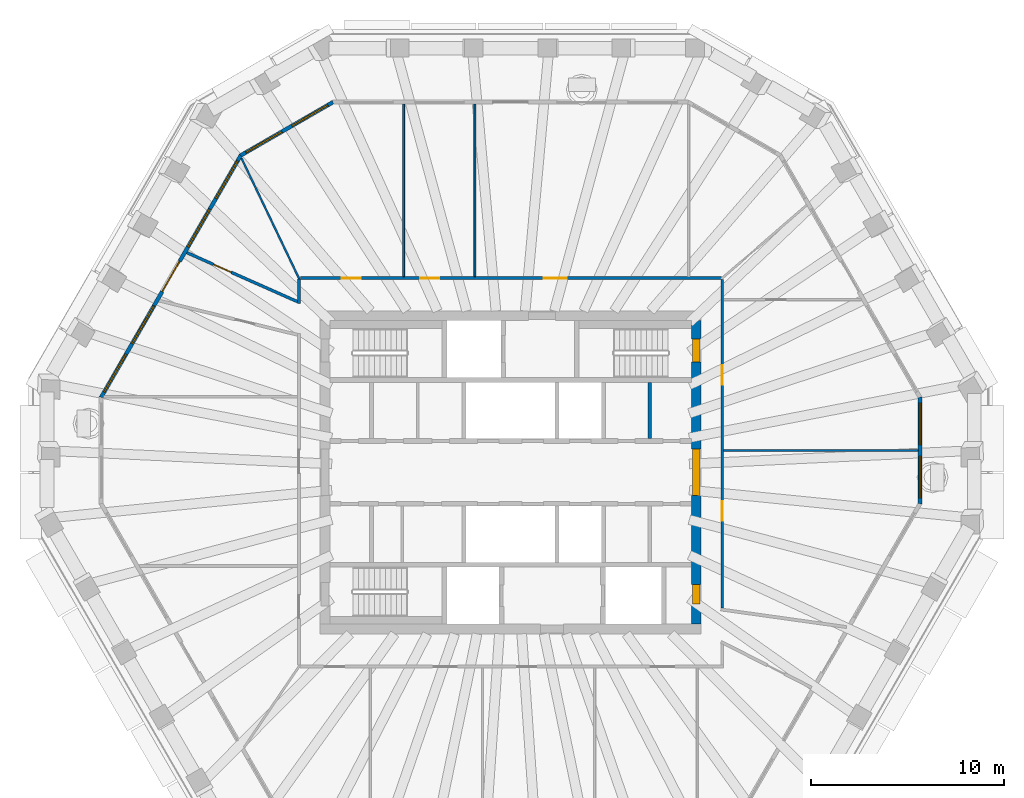
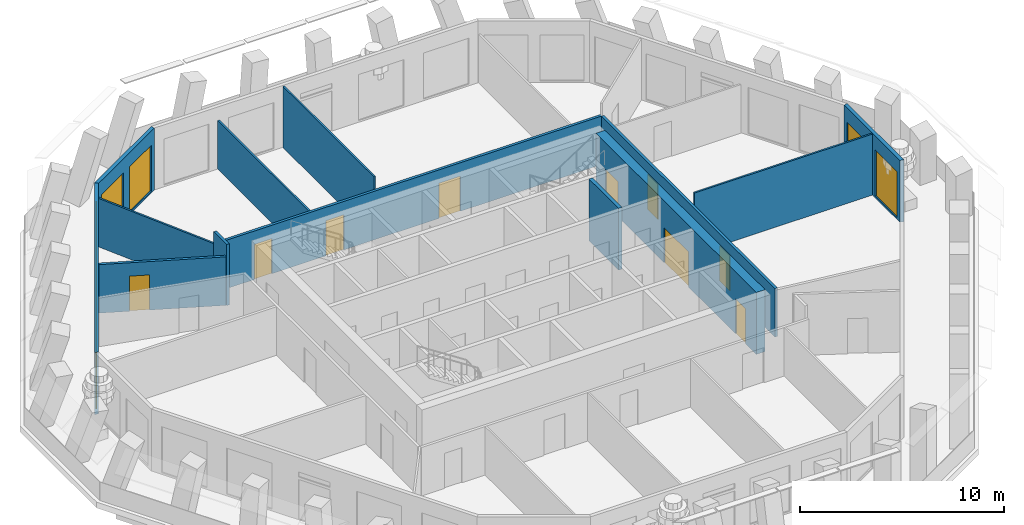
# One storey, part 6 of 11: 13 walls, 10 doors, 9 windows, 19 openings.
"""IFC4 building model written with IfcOpenShell, lengths in metres."""

from ifc_helpers import new_model, si_unit, direction, frame, frame_2d, origin, place, context, subcontext, project, spatial, polyline, rectangle, outline, extrude, material, layer, layer_set, type_object, element, fill, save


model = new_model("IFC4")

# Units and contexts
model_context = context("Model", 3, precision=1e-05, world=origin(), true_north=direction((0.0, 1.0)))
body_context = subcontext(model_context, "Body", "Model", "MODEL_VIEW")
ifc_project = project(units=[si_unit("LENGTHUNIT", "METRE"), si_unit("AREAUNIT", "SQUARE_METRE"), si_unit("VOLUMEUNIT", "CUBIC_METRE"), si_unit("PLANEANGLEUNIT", "RADIAN"), si_unit("MASSUNIT", "GRAM", prefix="KILO")], contexts=[model_context])

# Site, building, storey
site_placement = place(None, origin())
site = spatial("IfcSite", under=ifc_project, at=site_placement, CompositionType="ELEMENT")
building_placement = place(site_placement, origin())
building = spatial("IfcBuilding", under=site, at=building_placement, Name="Frailejon Research Tower", CompositionType="ELEMENT")
storey_placement = place(building_placement, frame((0.0, 0.0, 299.0)))
storey = spatial("IfcBuildingStorey", under=building, at=storey_placement, Name="L66", CompositionType="ELEMENT", Elevation=299.0)

# Wall, openings, doors
ifc_material_1 = material(Name="Concrete C50/60", Category="concrete")
ifc_layer_1 = layer(ifc_material_1, 0.5)
ifc_layer_set_1 = layer_set([ifc_layer_1], Name="Core shear wall 500 C50/60")
wall_type_1 = type_object("IfcWallType", Name="Core shear wall 500 C50/60", PredefinedType="SHEAR", material=ifc_layer_set_1)
wall_1_placement = place(storey_placement, frame((9.60009765625, -7.85009765625, 0.0), z_axis=(0.0, 0.0, 1.0), x_axis=(0.0, 1.0, 0.0)))
wall_1 = element("IfcWall", 1, at=wall_1_placement, inside=storey, type_object=wall_type_1, Name="Core shear wall", PredefinedType="SHEAR", context=body_context, shape_type="SweptSolid", body=[
    extrude(rectangle(XDim=15.7001953125, YDim=0.5, at=frame_2d((7.85009765625, 0.0))), origin(), (0.0, 0.0, 1.0), 3.699951171875),
])
opening_1_placement = place(wall_1_placement, frame((6.64990234375, 0.0, 0.0)))
opening_1 = element("IfcOpeningElement", 2, at=opening_1_placement, cuts=wall_1, Name="Opening D2", PredefinedType="OPENING", context=body_context, shape_type="SweptSolid", body=[
    extrude(rectangle(XDim=2.39990234375, YDim=2.10009765625, at=frame_2d((1.199951171875, 1.050048828125))), frame((0.0, 0.260009765625, 0.0), z_axis=(0.0, -1.0, 0.0), x_axis=(1.0, 0.0, 0.0)), (0.0, 0.0, 1.0), 0.52001953125),
])
opening_2_placement = place(wall_1_placement, frame((13.550048828125, 0.0, 0.0)))
opening_2 = element("IfcOpeningElement", 3, at=opening_2_placement, cuts=wall_1, Name="Opening D1", PredefinedType="OPENING", context=body_context, shape_type="SweptSolid", body=[
    extrude(rectangle(XDim=1.199951171875, YDim=2.10009765625, at=frame_2d((0.60009765625, 1.050048828125))), frame((0.0, 0.260009765625, 0.0), z_axis=(0.0, -1.0, 0.0), x_axis=(1.0, 0.0, 0.0)), (0.0, 0.0, 1.0), 0.52001953125),
])
opening_3_placement = place(wall_1_placement, frame((1.050048828125, 0.0, 0.0)))
opening_3 = element("IfcOpeningElement", 4, at=opening_3_placement, cuts=wall_1, Name="Opening D4", PredefinedType="OPENING", context=body_context, shape_type="SweptSolid", body=[
    extrude(rectangle(XDim=1.0, YDim=2.10009765625, at=frame_2d((0.5, 1.050048828125))), frame((0.0, 0.260009765625, 0.0), z_axis=(0.0, -1.0, 0.0), x_axis=(1.0, 0.0, 0.0)), (0.0, 0.0, 1.0), 0.52001953125),
])
ifc_material_2 = material(Name="Steel", Category="steel")
door_type_1 = type_object("IfcDoorType", Name="Lobby double door", OperationType="DOUBLE_DOOR_SINGLE_SWING", PredefinedType="DOOR", material=ifc_material_2)
door_1_placement = place(opening_1_placement, origin())
door_1 = element("IfcDoor", 5, at=door_1_placement, inside=storey, type_object=door_type_1, Name="Lobby door", OperationType="DOUBLE_DOOR_SINGLE_SWING", OverallHeight=2.10009765625, OverallWidth=2.39990234375, PredefinedType="DOOR", context=body_context, shape_type="SweptSolid", body=[
    extrude(rectangle(XDim=2.39990234375, YDim=2.10009765625, at=frame_2d((1.199951171875, 1.050048828125))), frame((0.0, 0.199951171875, 0.0), z_axis=(0.0, -1.0, 0.0), x_axis=(1.0, 0.0, 0.0)), (0.0, 0.0, 1.0), 0.39990234375),
])
fill(opening_1, door_1)
ifc_material_3 = material(Name="Steel", Category="steel")
door_type_2 = type_object("IfcDoorType", Name="Service door", OperationType="SINGLE_SWING_LEFT", PredefinedType="DOOR", material=ifc_material_3)
door_2_placement = place(opening_3_placement, origin())
door_2 = element("IfcDoor", 6, at=door_2_placement, inside=storey, type_object=door_type_2, Name="Riser door", OperationType="SINGLE_SWING_RIGHT", OverallHeight=2.10009765625, OverallWidth=1.0, PredefinedType="DOOR", context=body_context, shape_type="SweptSolid", body=[
    extrude(rectangle(XDim=1.0, YDim=2.10009765625, at=frame_2d((0.5, 1.050048828125))), frame((0.0, 0.199951171875, 0.0), z_axis=(0.0, -1.0, 0.0), x_axis=(1.0, 0.0, 0.0)), (0.0, 0.0, 1.0), 0.39990234375),
])
fill(opening_3, door_2)
ifc_material_4 = material(Name="Steel", Category="steel")
door_type_3 = type_object("IfcDoorType", Name="Stair door", OperationType="SINGLE_SWING_LEFT", PredefinedType="DOOR", material=ifc_material_4)
door_3_placement = place(opening_2_placement, origin())
door_3 = element("IfcDoor", 7, at=door_3_placement, inside=storey, type_object=door_type_3, Name="Stair door ST3", OperationType="SINGLE_SWING_LEFT", OverallHeight=2.10009765625, OverallWidth=1.199951171875, PredefinedType="DOOR", context=body_context, shape_type="SweptSolid", body=[
    extrude(rectangle(XDim=1.199951171875, YDim=2.10009765625, at=frame_2d((0.60009765625, 1.050048828125))), frame((0.0, 0.199951171875, 0.0), z_axis=(0.0, -1.0, 0.0), x_axis=(1.0, 0.0, 0.0)), (0.0, 0.0, 1.0), 0.39990234375),
])
fill(opening_2, door_3)

# Wall, opening, door
ifc_material_5 = material(Name="Gypsum board and masonry partition", Category="masonry")
ifc_layer_2 = layer(ifc_material_5, 0.14990234375)
ifc_layer_set_2 = layer_set([ifc_layer_2], Name="Corridor wall EI 60, gypsum on steel studs 150")
wall_type_2 = type_object("IfcWallType", Name="Corridor wall EI 60, gypsum on steel studs 150", PredefinedType="PARTITIONING", material=ifc_layer_set_2)
wall_2_placement = place(storey_placement, frame((-16.74169921875, 11.365478515625, 0.0), z_axis=(0.0, 0.0, 1.0), x_axis=(0.914312665263, -0.405009074144, 0.0)))
wall_2 = element("IfcWall", 8, at=wall_2_placement, inside=storey, type_object=wall_type_2, Name="T:IW:L66:001", PredefinedType="PARTITIONING", context=body_context, shape_type="SweptSolid", body=[
    extrude(rectangle(XDim=6.259521484375, YDim=0.14990234375, at=frame_2d((3.1298828125, 0.0))), origin(), (0.0, 0.0, 1.0), 2.89990234375),
])
opening_4_placement = place(wall_2_placement, frame((1.508544921875, 0.0, 0.0)))
opening_4 = element("IfcOpeningElement", 9, at=opening_4_placement, cuts=wall_2, Name="Opening D2271", PredefinedType="OPENING", context=body_context, shape_type="SweptSolid", body=[
    extrude(rectangle(XDim=1.0, YDim=2.10009765625, at=frame_2d((0.5, 1.050048828125))), frame((0.0, 0.0849609375, 0.0), z_axis=(0.0, -1.0, 0.0), x_axis=(1.0, 0.0, 0.0)), (0.0, 0.0, 1.0), 0.169921875),
])
ifc_material_6 = material(Name="Timber door leaf", Category="wood")
door_type_4 = type_object("IfcDoorType", Name="Door single leaf, timber, steel frame 1000", OperationType="NOTDEFINED", PredefinedType="DOOR", material=ifc_material_6)
door_4_placement = place(opening_4_placement, origin())
door_4 = element("IfcDoor", 10, at=door_4_placement, inside=storey, type_object=door_type_4, Name="D2271", OperationType="SINGLE_SWING_LEFT", OverallHeight=2.10009765625, OverallWidth=1.0, PredefinedType="DOOR", context=body_context, shape_type="SweptSolid", body=[
    extrude(rectangle(XDim=1.0, YDim=2.10009765625, at=frame_2d((0.5, 1.050048828125))), frame((0.0, 0.02490234375, 0.0), z_axis=(0.0, -1.0, 0.0), x_axis=(1.0, 0.0, 0.0)), (0.0, 0.0, 1.0), 0.050048828125),
])
fill(opening_4, door_4)

# Wall, openings, doors
wall_3_placement = place(storey_placement, frame((10.949951171875, -7.02490234375, 0.0), z_axis=(0.0, 0.0, 1.0), x_axis=(0.0, 1.0, 0.0)))
wall_3 = element("IfcWall", 11, at=wall_3_placement, inside=storey, type_object=wall_type_2, Name="T:IW:L66:004", PredefinedType="PARTITIONING", context=body_context, shape_type="SweptSolid", body=[
    extrude(rectangle(XDim=17.0, YDim=0.14990234375, at=frame_2d((8.5, 0.0))), origin(), (0.0, 0.0, 1.0), 2.89990234375),
])
opening_5_placement = place(wall_3_placement, frame((11.557861328125, 0.0, 0.0)))
opening_5 = element("IfcOpeningElement", 12, at=opening_5_placement, cuts=wall_3, Name="Opening D2265", PredefinedType="OPENING", context=body_context, shape_type="SweptSolid", body=[
    extrude(rectangle(XDim=1.0, YDim=2.10009765625, at=frame_2d((0.5, 1.050048828125))), frame((0.0, 0.0849609375, 0.0), z_axis=(0.0, -1.0, 0.0), x_axis=(1.0, 0.0, 0.0)), (0.0, 0.0, 1.0), 0.169921875),
])
opening_6_placement = place(wall_3_placement, frame((4.5205078125, 0.0, 0.0)))
opening_6 = element("IfcOpeningElement", 13, at=opening_6_placement, cuts=wall_3, Name="Opening D2280", PredefinedType="OPENING", context=body_context, shape_type="SweptSolid", body=[
    extrude(rectangle(XDim=1.0, YDim=2.10009765625, at=frame_2d((0.5, 1.050048828125))), frame((0.0, 0.0849609375, 0.0), z_axis=(0.0, -1.0, 0.0), x_axis=(1.0, 0.0, 0.0)), (0.0, 0.0, 1.0), 0.169921875),
])
door_5_placement = place(opening_5_placement, origin())
door_5 = element("IfcDoor", 14, at=door_5_placement, inside=storey, type_object=door_type_4, Name="D2265", OperationType="SINGLE_SWING_LEFT", OverallHeight=2.10009765625, OverallWidth=1.0, PredefinedType="DOOR", context=body_context, shape_type="SweptSolid", body=[
    extrude(rectangle(XDim=1.0, YDim=2.10009765625, at=frame_2d((0.5, 1.050048828125))), frame((0.0, 0.02490234375, 0.0), z_axis=(0.0, -1.0, 0.0), x_axis=(1.0, 0.0, 0.0)), (0.0, 0.0, 1.0), 0.050048828125),
])
fill(opening_5, door_5)
door_6_placement = place(opening_6_placement, origin())
door_6 = element("IfcDoor", 15, at=door_6_placement, inside=storey, type_object=door_type_4, Name="D2280", OperationType="SINGLE_SWING_LEFT", OverallHeight=2.10009765625, OverallWidth=1.0, PredefinedType="DOOR", context=body_context, shape_type="SweptSolid", body=[
    extrude(rectangle(XDim=1.0, YDim=2.10009765625, at=frame_2d((0.5, 1.050048828125))), frame((0.0, 0.02490234375, 0.0), z_axis=(0.0, -1.0, 0.0), x_axis=(1.0, 0.0, 0.0)), (0.0, 0.0, 1.0), 0.050048828125),
])
fill(opening_6, door_6)

wall_4_placement = place(storey_placement, frame((-10.875, 10.050048828125, 0.0), z_axis=(0.0, 0.0, 1.0), x_axis=(1.0, 0.0, 0.0)))
wall_4 = element("IfcWall", 16, at=wall_4_placement, inside=storey, type_object=wall_type_2, Name="T:IW:L66:005", PredefinedType="PARTITIONING", context=body_context, shape_type="SweptSolid", body=[
    extrude(rectangle(XDim=21.77490234375, YDim=0.14990234375, at=frame_2d((10.887451171875, 0.0))), origin(), (0.0, 0.0, 1.0), 2.89990234375),
])
opening_7_placement = place(wall_4_placement, frame((12.586669921875, 0.0, 0.0)))
opening_7 = element("IfcOpeningElement", 17, at=opening_7_placement, cuts=wall_4, Name="Opening D2268", PredefinedType="OPENING", context=body_context, shape_type="SweptSolid", body=[
    extrude(rectangle(XDim=1.199951171875, YDim=2.10009765625, at=frame_2d((0.60009765625, 1.050048828125))), frame((0.0, 0.0849609375, 0.0), z_axis=(0.0, -1.0, 0.0), x_axis=(1.0, 0.0, 0.0)), (0.0, 0.0, 1.0), 0.169921875),
])
opening_8_placement = place(wall_4_placement, frame((6.194091796875, 0.0, 0.0)))
opening_8 = element("IfcOpeningElement", 18, at=opening_8_placement, cuts=wall_4, Name="Opening D2269", PredefinedType="OPENING", context=body_context, shape_type="SweptSolid", body=[
    extrude(rectangle(XDim=1.0, YDim=2.10009765625, at=frame_2d((0.5, 1.050048828125))), frame((0.0, 0.0849609375, 0.0), z_axis=(0.0, -1.0, 0.0), x_axis=(1.0, 0.0, 0.0)), (0.0, 0.0, 1.0), 0.169921875),
])
opening_9_placement = place(wall_4_placement, frame((2.136474609375, 0.0, 0.0)))
opening_9 = element("IfcOpeningElement", 19, at=opening_9_placement, cuts=wall_4, Name="Opening D2270", PredefinedType="OPENING", context=body_context, shape_type="SweptSolid", body=[
    extrude(rectangle(XDim=1.0, YDim=2.10009765625, at=frame_2d((0.5, 1.050048828125))), frame((0.0, 0.0849609375, 0.0), z_axis=(0.0, -1.0, 0.0), x_axis=(1.0, 0.0, 0.0)), (0.0, 0.0, 1.0), 0.169921875),
])
door_7_placement = place(opening_8_placement, origin())
door_7 = element("IfcDoor", 20, at=door_7_placement, inside=storey, type_object=door_type_4, Name="D2269", OperationType="SINGLE_SWING_RIGHT", OverallHeight=2.10009765625, OverallWidth=1.0, PredefinedType="DOOR", context=body_context, shape_type="SweptSolid", body=[
    extrude(rectangle(XDim=1.0, YDim=2.10009765625, at=frame_2d((0.5, 1.050048828125))), frame((0.0, 0.02490234375, 0.0), z_axis=(0.0, -1.0, 0.0), x_axis=(1.0, 0.0, 0.0)), (0.0, 0.0, 1.0), 0.050048828125),
])
fill(opening_8, door_7)
door_8_placement = place(opening_9_placement, origin())
door_8 = element("IfcDoor", 21, at=door_8_placement, inside=storey, type_object=door_type_4, Name="D2270", OperationType="SINGLE_SWING_LEFT", OverallHeight=2.10009765625, OverallWidth=1.0, PredefinedType="DOOR", context=body_context, shape_type="SweptSolid", body=[
    extrude(rectangle(XDim=1.0, YDim=2.10009765625, at=frame_2d((0.5, 1.050048828125))), frame((0.0, 0.02490234375, 0.0), z_axis=(0.0, -1.0, 0.0), x_axis=(1.0, 0.0, 0.0)), (0.0, 0.0, 1.0), 0.050048828125),
])
fill(opening_9, door_8)
ifc_material_7 = material(Name="Timber door leaf", Category="wood")
door_type_5 = type_object("IfcDoorType", Name="Door single leaf, timber, steel frame 1200", OperationType="NOTDEFINED", PredefinedType="DOOR", material=ifc_material_7)
door_9_placement = place(opening_7_placement, origin())
door_9 = element("IfcDoor", 22, at=door_9_placement, inside=storey, type_object=door_type_5, Name="D2268", OperationType="DOUBLE_DOOR_SINGLE_SWING", OverallHeight=2.10009765625, OverallWidth=1.199951171875, PredefinedType="DOOR", context=body_context, shape_type="SweptSolid", body=[
    extrude(rectangle(XDim=1.199951171875, YDim=2.10009765625, at=frame_2d((0.60009765625, 1.050048828125))), frame((0.0, 0.02490234375, 0.0), z_axis=(0.0, -1.0, 0.0), x_axis=(1.0, 0.0, 0.0)), (0.0, 0.0, 1.0), 0.050048828125),
])
fill(opening_7, door_9)

# Walls
wall_5_placement = place(storey_placement, frame((-10.949951171875, 8.72509765625, 0.0), z_axis=(0.0, 0.0, 1.0), x_axis=(0.0, 1.0, 0.0)))
element("IfcWall", 23, at=wall_5_placement, inside=storey, type_object=wall_type_2, Name="T:IW:L66:007", PredefinedType="PARTITIONING", context=body_context, shape_type="SweptSolid", body=[
    extrude(rectangle(XDim=1.27490234375, YDim=0.14990234375, at=frame_2d((0.637451171875, 0.0))), origin(), (0.0, 0.0, 1.0), 3.64990234375),
])
ifc_material_8 = material(Name="Gypsum board and masonry partition", Category="masonry")
ifc_layer_3 = layer(ifc_material_8, 0.10009765625)
ifc_layer_set_3 = layer_set([ifc_layer_3], Name="Partition, gypsum on steel studs 100")
wall_type_3 = type_object("IfcWallType", Name="Partition, gypsum on steel studs 100", PredefinedType="PARTITIONING", material=ifc_layer_set_3)
wall_6_placement = place(storey_placement, frame((11.02490234375, 1.13134765625, 0.0), z_axis=(0.0, 0.0, 1.0), x_axis=(1.0, 0.0, 0.0)))
element("IfcWall", 24, at=wall_6_placement, inside=storey, type_object=wall_type_3, Name="T:IW:L66:014", PredefinedType="PARTITIONING", context=body_context, shape_type="SweptSolid", body=[
    extrude(rectangle(XDim=10.052001953125, YDim=0.10009765625, at=frame_2d((5.02587890625, 0.0))), origin(), (0.0, 0.0, 1.0), 3.64990234375),
])
wall_7_placement = place(storey_placement, frame((-1.84228515625, 10.125, 0.0), z_axis=(0.0, 0.0, 1.0), x_axis=(0.0, 1.0, 0.0)))
element("IfcWall", 25, at=wall_7_placement, inside=storey, type_object=wall_type_3, Name="T:IW:L66:017", PredefinedType="PARTITIONING", context=body_context, shape_type="SweptSolid", body=[
    extrude(rectangle(XDim=8.925048828125, YDim=0.10009765625, at=frame_2d((4.46240234375, 0.0))), origin(), (0.0, 0.0, 1.0), 3.64990234375),
])
wall_8_placement = place(storey_placement, frame((-5.527099609375, 10.125, 0.0), z_axis=(0.0, 0.0, 1.0), x_axis=(0.0, 1.0, 0.0)))
element("IfcWall", 26, at=wall_8_placement, inside=storey, type_object=wall_type_3, Name="T:IW:L66:018", PredefinedType="PARTITIONING", context=body_context, shape_type="SweptSolid", body=[
    extrude(rectangle(XDim=8.925048828125, YDim=0.10009765625, at=frame_2d((4.46240234375, 0.0))), origin(), (0.0, 0.0, 1.0), 2.89990234375),
])
wall_9_placement = place(storey_placement, frame((-13.919921875, 16.252685546875, 0.0), z_axis=(0.0, 0.0, 1.0), x_axis=(0.43187918696, -0.901931465174, 0.0)))
element("IfcWall", 27, at=wall_9_placement, inside=storey, type_object=wall_type_3, Name="T:IW:L66:019", PredefinedType="PARTITIONING", context=body_context, shape_type="SweptSolid", body=[
    extrude(rectangle(XDim=6.9521484375, YDim=0.10009765625, at=frame_2d((3.47607421875, 0.0))), origin(), (0.0, 0.0, 1.0), 2.89990234375),
])
ifc_material_9 = material(Name="Concrete C50/60", Category="concrete")
ifc_layer_4 = layer(ifc_material_9, 0.199951171875)
ifc_layer_set_4 = layer_set([ifc_layer_4], Name="Shaft wall 200 C50/60")
wall_type_4 = type_object("IfcWallType", Name="Shaft wall 200 C50/60", PredefinedType="SOLIDWALL", material=ifc_layer_set_4)
wall_10_placement = place(storey_placement, frame((7.199951171875, 1.75, 0.0), z_axis=(0.0, 0.0, 1.0), x_axis=(0.0, 1.0, 0.0)))
element("IfcWall", 28, at=wall_10_placement, inside=storey, type_object=wall_type_4, Name="Shaft wall", PredefinedType="SOLIDWALL", context=body_context, shape_type="SweptSolid", body=[
    extrude(rectangle(XDim=2.89990234375, YDim=0.199951171875, at=frame_2d((1.449951171875, 0.0))), origin(), (0.0, 0.0, 1.0), 3.699951171875),
])

# Wall, openings, windows
ifc_material_10 = material(Name="Concrete C40/50 precast window wall panel", Category="concrete")
ifc_layer_5 = layer(ifc_material_10, 0.199951171875)
ifc_layer_set_5 = layer_set([ifc_layer_5], Name="Window wall 200")
wall_type_5 = type_object("IfcWallType", Name="Window wall 200", PredefinedType="SOLIDWALL", material=ifc_layer_set_5)
wall_11_placement = place(storey_placement, frame((21.177001953125, -1.620361328125, 0.0), z_axis=(0.0, 0.0, 1.0), x_axis=(0.0, 1.0, 0.0)))
wall_11 = element("IfcWall", 29, at=wall_11_placement, inside=storey, type_object=wall_type_5, Name="Exterior wall L66", PredefinedType="SOLIDWALL", context=body_context, shape_type="SweptSolid", body=[
    extrude(outline(polyline([(-0.02685546875, -0.10009765625), (1.08447265625, -0.10009765625), (2.196044921875, -0.10009765625), (3.307373046875, -0.10009765625), (4.4189453125, -0.10009765625), (5.5302734375, -0.10009765625), (5.4765625, 0.10009765625), (4.38671875, 0.10009765625), (3.296630859375, 0.10009765625), (2.206787109375, 0.10009765625), (1.11669921875, 0.10009765625), (0.02685546875, 0.10009765625), (-0.02685546875, -0.10009765625)])), origin(), (0.0, 0.0, 1.0), 3.699951171875),
])
opening_10_placement = place(wall_11_placement, frame((0.30078125, 0.0, 0.10009765625)))
opening_10 = element("IfcOpeningElement", 30, at=opening_10_placement, cuts=wall_11, Name="Opening W22", PredefinedType="OPENING", context=body_context, shape_type="SweptSolid", body=[
    extrude(rectangle(XDim=2.14990234375, YDim=2.75, at=frame_2d((1.074951171875, 1.375))), frame((0.0, 0.10986328125, 0.0), z_axis=(0.0, -1.0, 0.0), x_axis=(1.0, 0.0, 0.0)), (0.0, 0.0, 1.0), 0.219970703125),
])
opening_11_placement = place(wall_11_placement, frame((3.052490234375, 0.0, 0.10009765625)))
opening_11 = element("IfcOpeningElement", 31, at=opening_11_placement, cuts=wall_11, Name="Opening W22", PredefinedType="OPENING", context=body_context, shape_type="SweptSolid", body=[
    extrude(rectangle(XDim=2.14990234375, YDim=2.75, at=frame_2d((1.074951171875, 1.375))), frame((0.0, 0.10986328125, 0.0), z_axis=(0.0, -1.0, 0.0), x_axis=(1.0, 0.0, 0.0)), (0.0, 0.0, 1.0), 0.219970703125),
])
ifc_material_11 = material(Name="Aluminium framed double glazing", Category="aluminium")
window_type_1 = type_object("IfcWindowType", Name="Window 2150x2750", PartitioningType="SINGLE_PANEL", PredefinedType="WINDOW", material=ifc_material_11)
window_1_placement = place(opening_10_placement, origin())
window_1 = element("IfcWindow", 32, at=window_1_placement, inside=storey, type_object=window_type_1, Name="Window L66", OverallHeight=2.75, OverallWidth=2.14990234375, PartitioningType="SINGLE_PANEL", PredefinedType="WINDOW", context=body_context, shape_type="SweptSolid", body=[
    extrude(rectangle(XDim=2.14990234375, YDim=2.75, at=frame_2d((1.074951171875, 1.375))), frame((0.0, 0.030029296875, 0.0), z_axis=(0.0, -1.0, 0.0), x_axis=(1.0, 0.0, 0.0)), (0.0, 0.0, 1.0), 0.06005859375),
])
fill(opening_10, window_1)
window_2_placement = place(opening_11_placement, origin())
window_2 = element("IfcWindow", 33, at=window_2_placement, inside=storey, type_object=window_type_1, Name="Window L66", OverallHeight=2.75, OverallWidth=2.14990234375, PartitioningType="SINGLE_PANEL", PredefinedType="WINDOW", context=body_context, shape_type="SweptSolid", body=[
    extrude(rectangle(XDim=2.14990234375, YDim=2.75, at=frame_2d((1.074951171875, 1.375))), frame((0.0, 0.030029296875, 0.0), z_axis=(0.0, -1.0, 0.0), x_axis=(1.0, 0.0, 0.0)), (0.0, 0.0, 1.0), 0.06005859375),
])
fill(opening_11, window_2)

wall_12_placement = place(storey_placement, frame((-9.185302734375, 19.14990234375, 0.0), z_axis=(0.0, 0.0, 1.0), x_axis=(-0.866026017613, -0.499998936816, 0.0)))
wall_12 = element("IfcWall", 34, at=wall_12_placement, inside=storey, type_object=wall_type_5, Name="Exterior wall L66", PredefinedType="SOLIDWALL", context=body_context, shape_type="SweptSolid", body=[
    extrude(outline(polyline([(-0.02685546875, -0.10009765625), (1.08447265625, -0.10009765625), (2.196044921875, -0.10009765625), (3.307373046875, -0.10009765625), (4.4189453125, -0.10009765625), (5.5302734375, -0.10009765625), (5.4765625, 0.10009765625), (4.38671875, 0.10009765625), (3.296630859375, 0.10009765625), (2.206787109375, 0.10009765625), (1.11669921875, 0.10009765625), (0.02685546875, 0.10009765625), (-0.02685546875, -0.10009765625)])), origin(), (0.0, 0.0, 1.0), 3.699951171875),
])
opening_12_placement = place(wall_12_placement, frame((0.30078125, 0.0, 0.10009765625)))
opening_12 = element("IfcOpeningElement", 35, at=opening_12_placement, cuts=wall_12, Name="Opening W22", PredefinedType="OPENING", context=body_context, shape_type="SweptSolid", body=[
    extrude(rectangle(XDim=2.14990234375, YDim=2.75, at=frame_2d((1.074951171875, 1.375))), frame((0.0, 0.10986328125, 0.0), z_axis=(0.0, -1.0, 0.0), x_axis=(1.0, 0.0, 0.0)), (0.0, 0.0, 1.0), 0.219970703125),
])
opening_13_placement = place(wall_12_placement, frame((3.052490234375, 0.0, 0.10009765625)))
opening_13 = element("IfcOpeningElement", 36, at=opening_13_placement, cuts=wall_12, Name="Opening W22", PredefinedType="OPENING", context=body_context, shape_type="SweptSolid", body=[
    extrude(rectangle(XDim=2.14990234375, YDim=2.75, at=frame_2d((1.074951171875, 1.375))), frame((0.0, 0.10986328125, 0.0), z_axis=(0.0, -1.0, 0.0), x_axis=(1.0, 0.0, 0.0)), (0.0, 0.0, 1.0), 0.219970703125),
])
window_3_placement = place(opening_12_placement, origin())
window_3 = element("IfcWindow", 37, at=window_3_placement, inside=storey, type_object=window_type_1, Name="Window L66", OverallHeight=2.75, OverallWidth=2.14990234375, PartitioningType="SINGLE_PANEL", PredefinedType="WINDOW", context=body_context, shape_type="SweptSolid", body=[
    extrude(rectangle(XDim=2.14990234375, YDim=2.75, at=frame_2d((1.074951171875, 1.375))), frame((0.0, 0.030029296875, 0.0), z_axis=(0.0, -1.0, 0.0), x_axis=(1.0, 0.0, 0.0)), (0.0, 0.0, 1.0), 0.06005859375),
])
fill(opening_12, window_3)
window_4_placement = place(opening_13_placement, origin())
window_4 = element("IfcWindow", 38, at=window_4_placement, inside=storey, type_object=window_type_1, Name="Window L66", OverallHeight=2.75, OverallWidth=2.14990234375, PartitioningType="SINGLE_PANEL", PredefinedType="WINDOW", context=body_context, shape_type="SweptSolid", body=[
    extrude(rectangle(XDim=2.14990234375, YDim=2.75, at=frame_2d((1.074951171875, 1.375))), frame((0.0, 0.030029296875, 0.0), z_axis=(0.0, -1.0, 0.0), x_axis=(1.0, 0.0, 0.0)), (0.0, 0.0, 1.0), 0.06005859375),
])
fill(opening_13, window_4)

# Wall, openings, door, windows
wall_13_placement = place(storey_placement, frame((-13.951416015625, 16.398193359375, 0.0), z_axis=(0.0, 0.0, 1.0), x_axis=(-0.499998359168, -0.866026351117, 0.0)))
wall_13 = element("IfcWall", 39, at=wall_13_placement, inside=storey, type_object=wall_type_5, Name="Exterior wall L66", PredefinedType="SOLIDWALL", context=body_context, shape_type="SweptSolid", body=[
    extrude(outline(polyline([(-0.02685546875, -0.10009765625), (1.00927734375, -0.10009765625), (2.045166015625, -0.10009765625), (3.081298828125, -0.10009765625), (4.117431640625, -0.10009765625), (5.153564453125, -0.10009765625), (6.189453125, -0.10009765625), (7.2255859375, -0.10009765625), (8.26171875, -0.10009765625), (9.297607421875, -0.10009765625), (10.333740234375, -0.10009765625), (11.369873046875, -0.10009765625), (12.406005859375, -0.10009765625), (13.44189453125, -0.10009765625), (14.47802734375, -0.10009765625), (14.42431640625, 0.10009765625), (13.39599609375, 0.10009765625), (12.367431640625, 0.10009765625), (11.339111328125, 0.10009765625), (10.310791015625, 0.10009765625), (9.282470703125, 0.10009765625), (8.25390625, 0.10009765625), (7.2255859375, 0.10009765625), (6.197265625, 0.10009765625), (5.168701171875, 0.10009765625), (4.140380859375, 0.10009765625), (3.112060546875, 0.10009765625), (2.083740234375, 0.10009765625), (1.05517578125, 0.10009765625), (0.02685546875, 0.10009765625), (-0.02685546875, -0.10009765625)])), origin(), (0.0, 0.0, 1.0), 3.699951171875),
])
opening_14_placement = place(wall_13_placement, frame((0.320068359375, 0.0, 0.10009765625)))
opening_14 = element("IfcOpeningElement", 40, at=opening_14_placement, cuts=wall_13, Name="Opening W23", PredefinedType="OPENING", context=body_context, shape_type="SweptSolid", body=[
    extrude(rectangle(XDim=2.25, YDim=2.75, at=frame_2d((1.125, 1.375))), frame((0.0, 0.10986328125, 0.0), z_axis=(0.0, -1.0, 0.0), x_axis=(1.0, 0.0, 0.0)), (0.0, 0.0, 1.0), 0.219970703125),
])
opening_15_placement = place(wall_13_placement, frame((3.21044921875, 0.0, 0.10009765625)))
opening_15 = element("IfcOpeningElement", 41, at=opening_15_placement, cuts=wall_13, Name="Opening W23", PredefinedType="OPENING", context=body_context, shape_type="SweptSolid", body=[
    extrude(rectangle(XDim=2.25, YDim=2.75, at=frame_2d((1.125, 1.375))), frame((0.0, 0.10986328125, 0.0), z_axis=(0.0, -1.0, 0.0), x_axis=(1.0, 0.0, 0.0)), (0.0, 0.0, 1.0), 0.219970703125),
])
opening_16_placement = place(wall_13_placement, frame((6.32568359375, 0.0, 0.0)))
opening_16 = element("IfcOpeningElement", 42, at=opening_16_placement, cuts=wall_13, Name="Opening LG66-3", PredefinedType="OPENING", context=body_context, shape_type="SweptSolid", body=[
    extrude(rectangle(XDim=1.800048828125, YDim=2.39990234375, at=frame_2d((0.89990234375, 1.199951171875))), frame((0.0, 0.10986328125, 0.0), z_axis=(0.0, -1.0, 0.0), x_axis=(1.0, 0.0, 0.0)), (0.0, 0.0, 1.0), 0.219970703125),
])
opening_17_placement = place(wall_13_placement, frame((6.32568359375, 0.0, 2.550048828125)))
opening_17 = element("IfcOpeningElement", 43, at=opening_17_placement, cuts=wall_13, Name="Opening W24", PredefinedType="OPENING", context=body_context, shape_type="SweptSolid", body=[
    extrude(rectangle(XDim=1.800048828125, YDim=0.300048828125, at=frame_2d((0.89990234375, 0.14990234375))), frame((0.0, 0.10986328125, 0.0), z_axis=(0.0, -1.0, 0.0), x_axis=(1.0, 0.0, 0.0)), (0.0, 0.0, 1.0), 0.219970703125),
])
opening_18_placement = place(wall_13_placement, frame((8.990966796875, 0.0, 0.10009765625)))
opening_18 = element("IfcOpeningElement", 44, at=opening_18_placement, cuts=wall_13, Name="Opening W23", PredefinedType="OPENING", context=body_context, shape_type="SweptSolid", body=[
    extrude(rectangle(XDim=2.25, YDim=2.75, at=frame_2d((1.125, 1.375))), frame((0.0, 0.10986328125, 0.0), z_axis=(0.0, -1.0, 0.0), x_axis=(1.0, 0.0, 0.0)), (0.0, 0.0, 1.0), 0.219970703125),
])
opening_19_placement = place(wall_13_placement, frame((11.881103515625, 0.0, 0.10009765625)))
opening_19 = element("IfcOpeningElement", 45, at=opening_19_placement, cuts=wall_13, Name="Opening W23", PredefinedType="OPENING", context=body_context, shape_type="SweptSolid", body=[
    extrude(rectangle(XDim=2.25, YDim=2.75, at=frame_2d((1.125, 1.375))), frame((0.0, 0.10986328125, 0.0), z_axis=(0.0, -1.0, 0.0), x_axis=(1.0, 0.0, 0.0)), (0.0, 0.0, 1.0), 0.219970703125),
])
ifc_material_12 = material(Name="Aluminium framed glazed door leaf", Category="aluminium")
door_type_6 = type_object("IfcDoorType", Name="Loggia door 1800x2400", OperationType="DOUBLE_DOOR_SINGLE_SWING", PredefinedType="DOOR", material=ifc_material_12)
door_10_placement = place(opening_16_placement, origin())
door_10 = element("IfcDoor", 46, at=door_10_placement, inside=storey, type_object=door_type_6, Name="Door LG66-3", OperationType="DOUBLE_DOOR_SINGLE_SWING", OverallHeight=2.39990234375, OverallWidth=1.800048828125, PredefinedType="DOOR", context=body_context, shape_type="SweptSolid", body=[
    extrude(rectangle(XDim=1.800048828125, YDim=2.39990234375, at=frame_2d((0.89990234375, 1.199951171875))), frame((0.0, 0.02490234375, 0.0), z_axis=(0.0, -1.0, 0.0), x_axis=(1.0, 0.0, 0.0)), (0.0, 0.0, 1.0), 0.050048828125),
])
fill(opening_16, door_10)
ifc_material_13 = material(Name="Aluminium framed double glazing", Category="aluminium")
window_type_2 = type_object("IfcWindowType", Name="Window 1800x300", PartitioningType="SINGLE_PANEL", PredefinedType="WINDOW", material=ifc_material_13)
window_5_placement = place(opening_17_placement, origin())
window_5 = element("IfcWindow", 47, at=window_5_placement, inside=storey, type_object=window_type_2, Name="Window L66", OverallHeight=0.300048828125, OverallWidth=1.800048828125, PartitioningType="SINGLE_PANEL", PredefinedType="WINDOW", context=body_context, shape_type="SweptSolid", body=[
    extrude(rectangle(XDim=1.800048828125, YDim=0.300048828125, at=frame_2d((0.89990234375, 0.14990234375))), frame((0.0, 0.030029296875, 0.0), z_axis=(0.0, -1.0, 0.0), x_axis=(1.0, 0.0, 0.0)), (0.0, 0.0, 1.0), 0.06005859375),
])
fill(opening_17, window_5)
ifc_material_14 = material(Name="Aluminium framed double glazing", Category="aluminium")
window_type_3 = type_object("IfcWindowType", Name="Window 2250x2750", PartitioningType="SINGLE_PANEL", PredefinedType="WINDOW", material=ifc_material_14)
window_6_placement = place(opening_14_placement, origin())
window_6 = element("IfcWindow", 48, at=window_6_placement, inside=storey, type_object=window_type_3, Name="Window L66", OverallHeight=2.75, OverallWidth=2.25, PartitioningType="SINGLE_PANEL", PredefinedType="WINDOW", context=body_context, shape_type="SweptSolid", body=[
    extrude(rectangle(XDim=2.25, YDim=2.75, at=frame_2d((1.125, 1.375))), frame((0.0, 0.030029296875, 0.0), z_axis=(0.0, -1.0, 0.0), x_axis=(1.0, 0.0, 0.0)), (0.0, 0.0, 1.0), 0.06005859375),
])
fill(opening_14, window_6)
window_7_placement = place(opening_15_placement, origin())
window_7 = element("IfcWindow", 49, at=window_7_placement, inside=storey, type_object=window_type_3, Name="Window L66", OverallHeight=2.75, OverallWidth=2.25, PartitioningType="SINGLE_PANEL", PredefinedType="WINDOW", context=body_context, shape_type="SweptSolid", body=[
    extrude(rectangle(XDim=2.25, YDim=2.75, at=frame_2d((1.125, 1.375))), frame((0.0, 0.030029296875, 0.0), z_axis=(0.0, -1.0, 0.0), x_axis=(1.0, 0.0, 0.0)), (0.0, 0.0, 1.0), 0.06005859375),
])
fill(opening_15, window_7)
window_8_placement = place(opening_18_placement, origin())
window_8 = element("IfcWindow", 50, at=window_8_placement, inside=storey, type_object=window_type_3, Name="Window L66", OverallHeight=2.75, OverallWidth=2.25, PartitioningType="SINGLE_PANEL", PredefinedType="WINDOW", context=body_context, shape_type="SweptSolid", body=[
    extrude(rectangle(XDim=2.25, YDim=2.75, at=frame_2d((1.125, 1.375))), frame((0.0, 0.030029296875, 0.0), z_axis=(0.0, -1.0, 0.0), x_axis=(1.0, 0.0, 0.0)), (0.0, 0.0, 1.0), 0.06005859375),
])
fill(opening_18, window_8)
window_9_placement = place(opening_19_placement, origin())
window_9 = element("IfcWindow", 51, at=window_9_placement, inside=storey, type_object=window_type_3, Name="Window L66", OverallHeight=2.75, OverallWidth=2.25, PartitioningType="SINGLE_PANEL", PredefinedType="WINDOW", context=body_context, shape_type="SweptSolid", body=[
    extrude(rectangle(XDim=2.25, YDim=2.75, at=frame_2d((1.125, 1.375))), frame((0.0, 0.030029296875, 0.0), z_axis=(0.0, -1.0, 0.0), x_axis=(1.0, 0.0, 0.0)), (0.0, 0.0, 1.0), 0.06005859375),
])
fill(opening_19, window_9)

save(model, "model.ifc")
